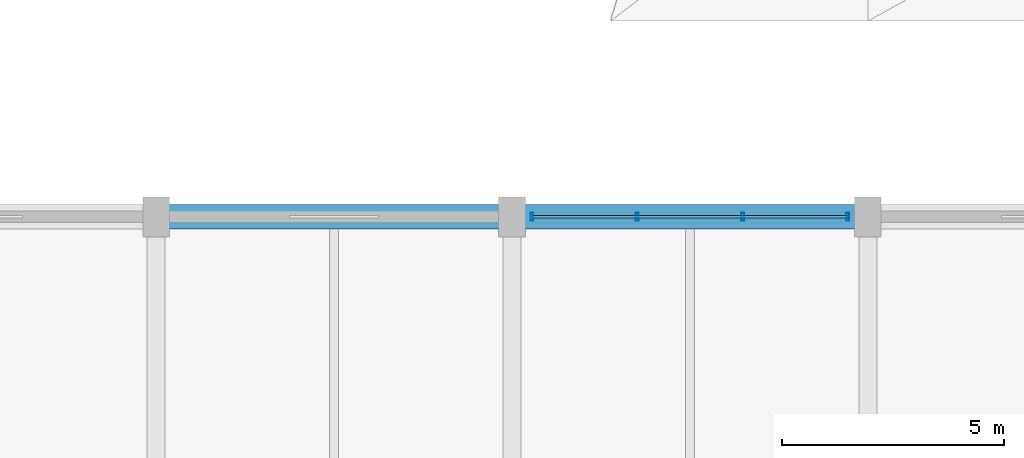
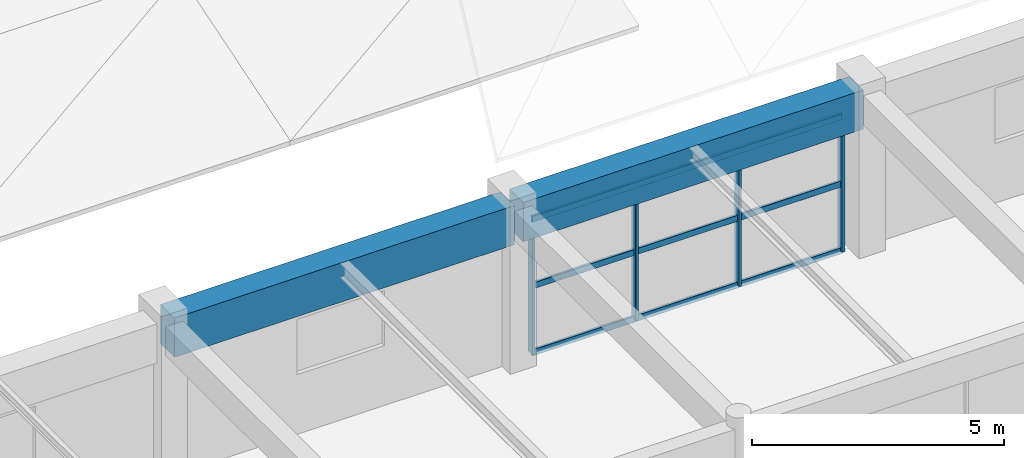
# One storey, part 25 of 63: 7 members, 2 beams, 1 element without a shape of its own.
"""IFC4 building model written with IfcOpenShell, lengths in metres."""

from ifc_helpers import new_model, si_unit, direction, frame, origin, origin_2d, place, context, subcontext, project, spatial, rectangle, hollow_rectangle, extrude, material, material_profile, profile_set, type_object, element, aggregate, save


model = new_model("IFC4")

# Units and contexts
model_context = context("Model", 3, precision=1e-05, world=origin(), true_north=direction((0.0, 1.0)))
body_context = subcontext(model_context, "Body", "Model", "MODEL_VIEW")
ifc_project = project(units=[si_unit("LENGTHUNIT", "METRE"), si_unit("AREAUNIT", "SQUARE_METRE"), si_unit("VOLUMEUNIT", "CUBIC_METRE"), si_unit("PLANEANGLEUNIT", "RADIAN"), si_unit("MASSUNIT", "GRAM", prefix="KILO")], contexts=[model_context])

# Site, building, storey
site_placement = place(None, origin())
site = spatial("IfcSite", under=ifc_project, at=site_placement, CompositionType="ELEMENT")
building_placement = place(site_placement, origin())
building = spatial("IfcBuilding", under=site, at=building_placement, Name="Varnabhumi Central Station", CompositionType="ELEMENT")
storey_placement = place(building_placement, frame((0.0, 0.0, 20.39990234375)))
storey = spatial("IfcBuildingStorey", under=building, at=storey_placement, Name="L04", CompositionType="ELEMENT", Elevation=20.39990234375)

# Beams
ifc_material_1 = material(Name="Concrete M40", Category="concrete")
ifc_material_profile_1 = material_profile(ifc_material_1, rectangle(XDim=0.550048828125, YDim=0.949951171875, at=origin_2d()), Name="Concrete M40", Category="concrete")
ifc_profile_set_1 = profile_set([ifc_material_profile_1], Name="Concrete M40")
beam_type = type_object("IfcBeamType", Name="BM-RC-550x950", PredefinedType="BEAM", material=ifc_profile_set_1)
for number, where, z_axis, x_axis, name in (
    (1, (120.10009765625, 36.0, 3.445068359375), (1.0, 0.0, 0.0), (0.0, 1.0, 0.0), "Beam L04-E:16-17"),
    (2, (128.10009765625, 36.0, 3.445068359375), (1.0, 0.0, 0.0), (0.0, 1.0, 0.0), "Beam L04-E:17-18"),
):
    element("IfcBeam", number, at=place(storey_placement, frame(where, z_axis=z_axis, x_axis=x_axis)), inside=storey, type_object=beam_type, Name=name, PredefinedType="BEAM", context=body_context, shape_type="SweptSolid", body=[
        extrude(rectangle(XDim=0.550048828125, YDim=0.949951171875, at=origin_2d()), origin(), (0.0, 0.0, 1.0), 7.7998046875),
    ])

# Curtain wall, members
ifc_material_2 = material(Name="Anodised aluminium 6063-T6", Category="aluminium")
curtain_wall_type = type_object("IfcCurtainWallType", Name="CW-SPINE-SCREEN-L0", PredefinedType="NOTDEFINED", material=ifc_material_2)
curtain_wall_placement = place(storey_placement, origin())
curtain_wall = element("IfcCurtainWall", 3, at=curtain_wall_placement, inside=storey, type_object=curtain_wall_type, Name="Curtain Wall CW-SS412", PredefinedType="NOTDEFINED")
ifc_material_profile_2 = material_profile(ifc_material_2, hollow_rectangle(XDim=0.06494140625, YDim=0.179931640625, WallThickness=0.00390625, InnerFilletRadius=0.001953125, OuterFilletRadius=0.006103515625, at=origin_2d()), Name="Anodised aluminium 6063-T6", Category="aluminium")
ifc_profile_set_2 = profile_set([ifc_material_profile_2], Name="Anodised aluminium 6063-T6")
member_type_1 = type_object("IfcMemberType", Name="CW-MUL-180", PredefinedType="MULLION", material=ifc_profile_set_2)
member_1_placement = place(storey_placement, frame((128.449951171875, 36.0, 0.0), z_axis=(0.0, 0.0, 1.0), x_axis=(1.0, 0.0, 0.0)))
member_1 = element("IfcMember", 4, at=member_1_placement, type_object=member_type_1, Name="Curtain Wall Mullion CW-SS412-M1", PredefinedType="MULLION", context=body_context, shape_type="SweptSolid", body=[
    extrude(hollow_rectangle(XDim=0.06494140625, YDim=0.179931640625, WallThickness=0.00390625, InnerFilletRadius=0.001953125, OuterFilletRadius=0.006103515625, at=origin_2d()), origin(), (0.0, 0.0, 1.0), 3.239990234375),
])
member_2_placement = place(storey_placement, frame((130.816650390625, 36.0, 0.0), z_axis=(0.0, 0.0, 1.0), x_axis=(1.0, 0.0, 0.0)))
member_2 = element("IfcMember", 5, at=member_2_placement, type_object=member_type_1, Name="Curtain Wall Mullion CW-SS412-M2", PredefinedType="MULLION", context=body_context, shape_type="SweptSolid", body=[
    extrude(hollow_rectangle(XDim=0.06494140625, YDim=0.179931640625, WallThickness=0.00390625, InnerFilletRadius=0.001953125, OuterFilletRadius=0.006103515625, at=origin_2d()), origin(), (0.0, 0.0, 1.0), 3.239990234375),
])
member_3_placement = place(storey_placement, frame((133.183349609375, 36.0, 0.0), z_axis=(0.0, 0.0, 1.0), x_axis=(1.0, 0.0, 0.0)))
member_3 = element("IfcMember", 6, at=member_3_placement, type_object=member_type_1, Name="Curtain Wall Mullion CW-SS412-M3", PredefinedType="MULLION", context=body_context, shape_type="SweptSolid", body=[
    extrude(hollow_rectangle(XDim=0.06494140625, YDim=0.179931640625, WallThickness=0.00390625, InnerFilletRadius=0.001953125, OuterFilletRadius=0.006103515625, at=origin_2d()), origin(), (0.0, 0.0, 1.0), 3.239990234375),
])
member_4_placement = place(storey_placement, frame((135.550048828125, 36.0, 0.0), z_axis=(0.0, 0.0, 1.0), x_axis=(1.0, 0.0, 0.0)))
member_4 = element("IfcMember", 7, at=member_4_placement, type_object=member_type_1, Name="Curtain Wall Mullion CW-SS412-M4", PredefinedType="MULLION", context=body_context, shape_type="SweptSolid", body=[
    extrude(hollow_rectangle(XDim=0.06494140625, YDim=0.179931640625, WallThickness=0.00390625, InnerFilletRadius=0.001953125, OuterFilletRadius=0.006103515625, at=origin_2d()), origin(), (0.0, 0.0, 1.0), 3.239990234375),
])
ifc_material_profile_3 = material_profile(ifc_material_2, hollow_rectangle(XDim=0.06005859375, YDim=0.14990234375, WallThickness=0.00390625, InnerFilletRadius=0.001953125, OuterFilletRadius=0.006103515625, at=origin_2d()), Name="Anodised aluminium 6063-T6", Category="aluminium")
ifc_profile_set_3 = profile_set([ifc_material_profile_3], Name="Anodised aluminium 6063-T6")
member_type_2 = type_object("IfcMemberType", Name="CW-TR-150", PredefinedType="USERDEFINED", material=ifc_profile_set_3)
member_5_placement = place(storey_placement, frame((128.449951171875, 36.0, 0.0), z_axis=(1.0, 0.0, 0.0), x_axis=(0.0, 1.0, 0.0)))
member_5 = element("IfcMember", 8, at=member_5_placement, type_object=member_type_2, Name="Curtain Wall Transom CW-SS412-T1", ObjectType="TRANSOM", PredefinedType="USERDEFINED", context=body_context, shape_type="SweptSolid", body=[
    extrude(hollow_rectangle(XDim=0.06005859375, YDim=0.14990234375, WallThickness=0.00390625, InnerFilletRadius=0.001953125, OuterFilletRadius=0.006103515625, at=origin_2d()), origin(), (0.0, 0.0, 1.0), 7.10009765625),
])
member_6_placement = place(storey_placement, frame((128.449951171875, 36.0, 1.6201171875), z_axis=(1.0, 0.0, 0.0), x_axis=(0.0, 1.0, 0.0)))
member_6 = element("IfcMember", 9, at=member_6_placement, type_object=member_type_2, Name="Curtain Wall Transom CW-SS412-T2", ObjectType="TRANSOM", PredefinedType="USERDEFINED", context=body_context, shape_type="SweptSolid", body=[
    extrude(hollow_rectangle(XDim=0.06005859375, YDim=0.14990234375, WallThickness=0.00390625, InnerFilletRadius=0.001953125, OuterFilletRadius=0.006103515625, at=origin_2d()), origin(), (0.0, 0.0, 1.0), 7.10009765625),
])
member_7_placement = place(storey_placement, frame((128.449951171875, 36.0, 3.239990234375), z_axis=(1.0, 0.0, 0.0), x_axis=(0.0, 1.0, 0.0)))
member_7 = element("IfcMember", 10, at=member_7_placement, type_object=member_type_2, Name="Curtain Wall Transom CW-SS412-T3", ObjectType="TRANSOM", PredefinedType="USERDEFINED", context=body_context, shape_type="SweptSolid", body=[
    extrude(hollow_rectangle(XDim=0.06005859375, YDim=0.14990234375, WallThickness=0.00390625, InnerFilletRadius=0.001953125, OuterFilletRadius=0.006103515625, at=origin_2d()), origin(), (0.0, 0.0, 1.0), 7.10009765625),
])
aggregate(curtain_wall, [member_1, member_2, member_3, member_4, member_5, member_6, member_7])

save(model, "model.ifc")
